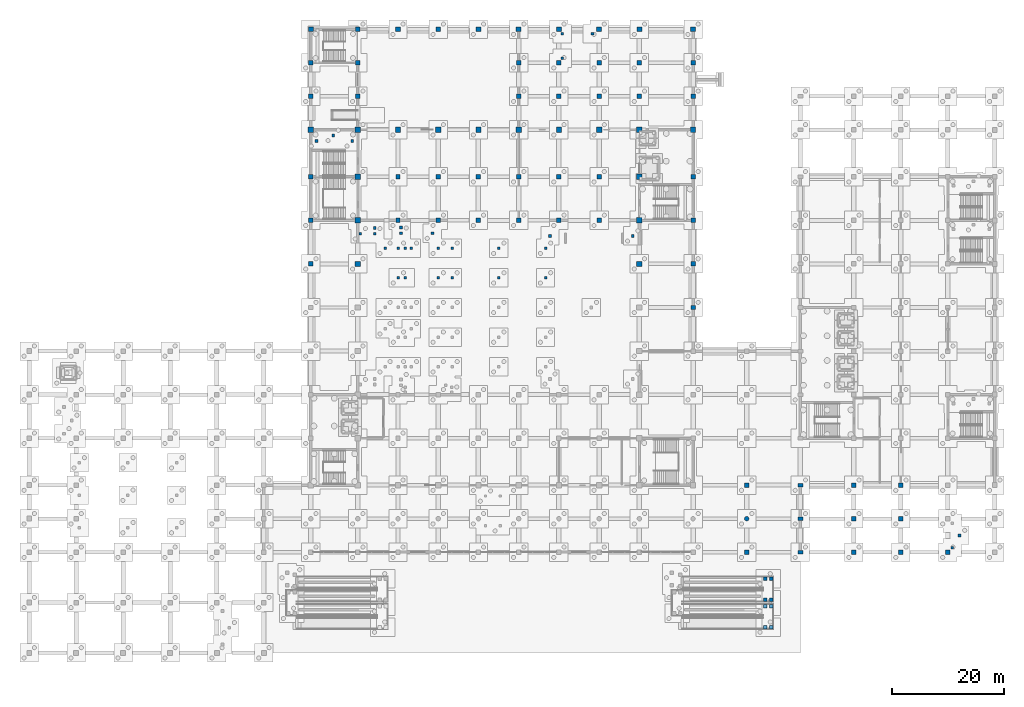
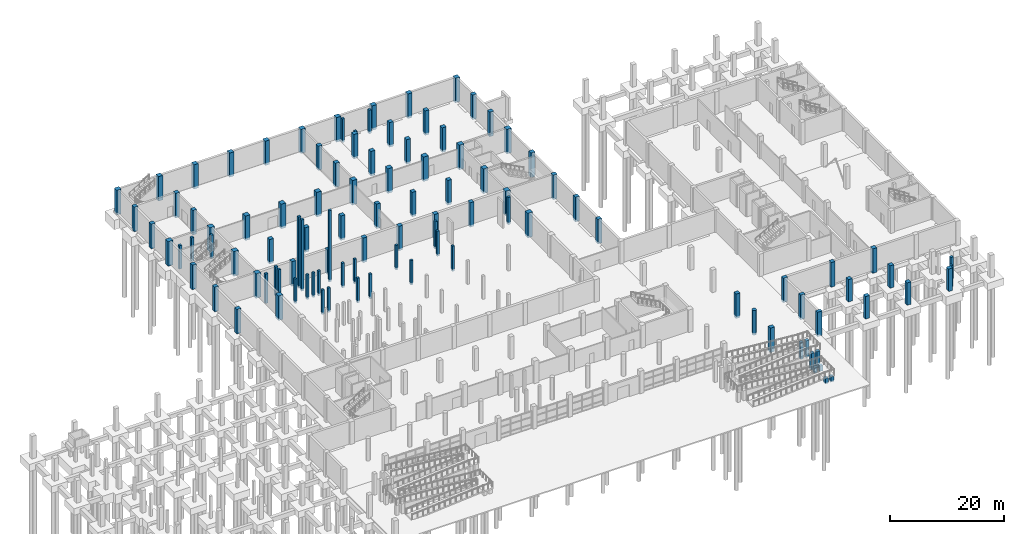
# One storey, part 17 of 42: 110 columns.
"""IFC4 building model written with IfcOpenShell, lengths in metres."""

from ifc_helpers import new_model, si_unit, direction, frame, origin, origin_2d, place, context, subcontext, project, spatial, rectangle, circle, extrude, material, material_profile, profile_set, type_object, element, save


model = new_model("IFC4")

# Units and contexts
model_context = context("Model", 3, precision=1e-05, world=origin(), true_north=direction((0.0, 1.0)))
body_context = subcontext(model_context, "Body", "Model", "MODEL_VIEW")
ifc_project = project(units=[si_unit("LENGTHUNIT", "METRE"), si_unit("AREAUNIT", "SQUARE_METRE"), si_unit("VOLUMEUNIT", "CUBIC_METRE"), si_unit("PLANEANGLEUNIT", "RADIAN"), si_unit("MASSUNIT", "GRAM", prefix="KILO")], contexts=[model_context])

# Site, building, storey
site_placement = place(None, origin())
site = spatial("IfcSite", under=ifc_project, at=site_placement, CompositionType="ELEMENT")
building_placement = place(site_placement, origin())
building = spatial("IfcBuilding", under=site, at=building_placement, Name="Pellamere Symphony Hall", CompositionType="ELEMENT")
storey_placement = place(building_placement, frame((0.0, 0.0, -4.800048828125)))
storey = spatial("IfcBuildingStorey", under=building, at=storey_placement, Name="B1", CompositionType="ELEMENT", Elevation=-4.800048828125)

# Columns
ifc_material_1 = material(Name="Concrete 50 MPa", Category="concrete")
ifc_material_profile_1 = material_profile(ifc_material_1, circle(Radius=0.39990234375, at=origin_2d()), Name="RCCOL D800")
ifc_profile_set_1 = profile_set([ifc_material_profile_1], Name="Concrete 50 MPa")
column_type_1 = type_object("IfcColumnType", Name="RC Circular Foyer Column CC-15 D800", PredefinedType="COLUMN", material=ifc_profile_set_1)
column_1_placement = place(storey_placement, frame((128.39990234375, 24.0, -0.449951171875), z_axis=(0.0, 0.0, 1.0), x_axis=(1.0, 0.0, 0.0)))
element("IfcColumn", 1, at=column_1_placement, inside=storey, type_object=column_type_1, Name="Column C-17D (B1)", PredefinedType="COLUMN", context=body_context, shape_type="SweptSolid", body=[
    extrude(circle(Radius=0.39990234375, at=origin_2d()), origin(), (0.0, 0.0, 1.0), 5.25),
])
ifc_material_profile_2 = material_profile(ifc_material_1, rectangle(XDim=0.949951171875, YDim=0.949951171875, at=origin_2d()), Name="RC 950x950")
ifc_profile_set_2 = profile_set([ifc_material_profile_2], Name="Concrete 50 MPa")
column_type_2 = type_object("IfcColumnType", Name="RC Column CC-01 950x950", PredefinedType="COLUMN", material=ifc_profile_set_2)
for number, where, z_axis, x_axis, name in (
    (2, (50.39990234375, 93.60009765625, -0.449951171875), (0.0, 0.0, 1.0), (1.0, 0.0, 0.0), "Column C-7M (B1)"),
    (3, (58.800048828125, 69.60009765625, -0.449951171875), (0.0, 0.0, 1.0), (1.0, 0.0, 0.0), "Column C-8J (B1)"),
    (4, (58.800048828125, 77.39990234375, -0.449951171875), (0.0, 0.0, 1.0), (1.0, 0.0, 0.0), "Column C-8K (B1)"),
    (5, (58.800048828125, 85.199951171875, -0.449951171875), (0.0, 0.0, 1.0), (1.0, 0.0, 0.0), "Column C-8L (B1)"),
    (6, (58.800048828125, 93.60009765625, -0.449951171875), (0.0, 0.0, 1.0), (1.0, 0.0, 0.0), "Column C-8M (B1)"),
    (7, (66.0, 93.60009765625, -0.449951171875), (0.0, 0.0, 1.0), (1.0, 0.0, 0.0), "Column C-9M (B1)"),
    (8, (73.199951171875, 93.60009765625, -0.449951171875), (0.0, 0.0, 1.0), (1.0, 0.0, 0.0), "Column C-10M (B1)"),
    (9, (80.39990234375, 93.60009765625, -0.449951171875), (0.0, 0.0, 1.0), (1.0, 0.0, 0.0), "Column C-11M (B1)"),
    (10, (87.60009765625, 93.60009765625, -0.449951171875), (0.0, 0.0, 1.0), (1.0, 0.0, 0.0), "Column C-12M (B1)"),
    (11, (94.800048828125, 93.60009765625, -0.449951171875), (0.0, 0.0, 1.0), (1.0, 0.0, 0.0), "Column C-13M (B1)"),
    (12, (102.0, 93.60009765625, -0.449951171875), (0.0, 0.0, 1.0), (1.0, 0.0, 0.0), "Column C-14M (B1)"),
    (13, (109.199951171875, 69.60009765625, -0.449951171875), (0.0, 0.0, 1.0), (1.0, 0.0, 0.0), "Column C-15J (B1)"),
    (14, (109.199951171875, 77.39990234375, -0.449951171875), (0.0, 0.0, 1.0), (1.0, 0.0, 0.0), "Column C-15K (B1)"),
    (15, (109.199951171875, 85.199951171875, -0.449951171875), (0.0, 0.0, 1.0), (1.0, 0.0, 0.0), "Column C-15L (B1)"),
    (16, (109.199951171875, 93.60009765625, -0.449951171875), (0.0, 0.0, 1.0), (1.0, 0.0, 0.0), "Column C-15M (B1)"),
    (17, (118.800048828125, 93.60009765625, -0.449951171875), (0.0, 0.0, 1.0), (1.0, 0.0, 0.0), "Column C-16M (B1)"),
):
    element("IfcColumn", number, at=place(storey_placement, frame(where, z_axis=z_axis, x_axis=x_axis)), inside=storey, type_object=column_type_2, Name=name, PredefinedType="COLUMN", context=body_context, shape_type="SweptSolid", body=[
        extrude(rectangle(XDim=0.949951171875, YDim=0.949951171875, at=origin_2d()), origin(), (0.0, 0.0, 1.0), 5.25),
    ])
ifc_material_2 = material(Name="Concrete 40 MPa", Category="concrete")
ifc_material_profile_3 = material_profile(ifc_material_2, rectangle(XDim=0.800048828125, YDim=0.800048828125, at=origin_2d()), Name="RC 800x800")
ifc_profile_set_3 = profile_set([ifc_material_profile_3], Name="Concrete 40 MPa")
column_type_3 = type_object("IfcColumnType", Name="RC Column CC-04 800x800", PredefinedType="COLUMN", material=ifc_profile_set_3)
for number, where, z_axis, x_axis, name in (
    (18, (50.39990234375, 69.60009765625, -0.449951171875), (0.0, 0.0, 1.0), (1.0, 0.0, 0.0), "Column C-7J (B1)"),
    (19, (50.39990234375, 77.39990234375, -0.449951171875), (0.0, 0.0, 1.0), (1.0, 0.0, 0.0), "Column C-7K (B1)"),
    (20, (50.39990234375, 85.199951171875, -0.449951171875), (0.0, 0.0, 1.0), (1.0, 0.0, 0.0), "Column C-7L (B1)"),
    (21, (50.39990234375, 99.60009765625, -0.449951171875), (0.0, 0.0, 1.0), (1.0, 0.0, 0.0), "Column C-7N (B1)"),
    (22, (50.39990234375, 105.60009765625, -0.449951171875), (0.0, 0.0, 1.0), (1.0, 0.0, 0.0), "Column C-7O (B1)"),
    (23, (58.800048828125, 99.60009765625, -0.449951171875), (0.0, 0.0, 1.0), (1.0, 0.0, 0.0), "Column C-8N (B1)"),
    (24, (58.800048828125, 105.60009765625, -0.449951171875), (0.0, 0.0, 1.0), (1.0, 0.0, 0.0), "Column C-8O (B1)"),
    (25, (66.0, 77.39990234375, -0.449951171875), (0.0, 0.0, 1.0), (1.0, 0.0, 0.0), "Column C-9K (B1)"),
    (26, (66.0, 85.199951171875, -0.449951171875), (0.0, 0.0, 1.0), (1.0, 0.0, 0.0), "Column C-9L (B1)"),
    (27, (73.199951171875, 77.39990234375, -0.449951171875), (0.0, 0.0, 1.0), (1.0, 0.0, 0.0), "Column C-10K (B1)"),
    (28, (73.199951171875, 85.199951171875, -0.449951171875), (0.0, 0.0, 1.0), (1.0, 0.0, 0.0), "Column C-10L (B1)"),
    (29, (80.39990234375, 77.39990234375, -0.449951171875), (0.0, 0.0, 1.0), (1.0, 0.0, 0.0), "Column C-11K (B1)"),
    (30, (80.39990234375, 85.199951171875, -0.449951171875), (0.0, 0.0, 1.0), (1.0, 0.0, 0.0), "Column C-11L (B1)"),
    (31, (87.60009765625, 77.39990234375, -0.449951171875), (0.0, 0.0, 1.0), (1.0, 0.0, 0.0), "Column C-12K (B1)"),
    (32, (87.60009765625, 85.199951171875, -0.449951171875), (0.0, 0.0, 1.0), (1.0, 0.0, 0.0), "Column C-12L (B1)"),
):
    element("IfcColumn", number, at=place(storey_placement, frame(where, z_axis=z_axis, x_axis=x_axis)), inside=storey, type_object=column_type_3, Name=name, PredefinedType="COLUMN", context=body_context, shape_type="SweptSolid", body=[
        extrude(rectangle(XDim=0.800048828125, YDim=0.800048828125, at=origin_2d()), origin(), (0.0, 0.0, 1.0), 5.25),
    ])
for number, where, z_axis, x_axis, name in (
    (33, (87.60009765625, 99.60009765625, -0.3798828125), (0.0, 0.0, 1.0), (1.0, 0.0, 0.0), "Column C-12N (B1)"),
    (34, (87.60009765625, 105.60009765625, -0.3798828125), (0.0, 0.0, 1.0), (1.0, 0.0, 0.0), "Column C-12O (B1)"),
):
    element("IfcColumn", number, at=place(storey_placement, frame(where, z_axis=z_axis, x_axis=x_axis)), inside=storey, type_object=column_type_3, Name=name, PredefinedType="COLUMN", context=body_context, shape_type="SweptSolid", body=[
        extrude(rectangle(XDim=0.800048828125, YDim=0.800048828125, at=origin_2d()), origin(), (0.0, 0.0, 1.0), 5.179931640625),
    ])
for number, where, z_axis, x_axis, name in (
    (35, (94.800048828125, 77.39990234375, -0.449951171875), (0.0, 0.0, 1.0), (1.0, 0.0, 0.0), "Column C-13K (B1)"),
    (36, (94.800048828125, 85.199951171875, -0.449951171875), (0.0, 0.0, 1.0), (1.0, 0.0, 0.0), "Column C-13L (B1)"),
    (37, (94.800048828125, 99.60009765625, -0.449951171875), (0.0, 0.0, 1.0), (1.0, 0.0, 0.0), "Column C-13N (B1)"),
    (38, (94.800048828125, 105.60009765625, -0.449951171875), (0.0, 0.0, 1.0), (1.0, 0.0, 0.0), "Column C-13O (B1)"),
    (39, (102.0, 77.39990234375, -0.449951171875), (0.0, 0.0, 1.0), (1.0, 0.0, 0.0), "Column C-14K (B1)"),
    (40, (102.0, 85.199951171875, -0.449951171875), (0.0, 0.0, 1.0), (1.0, 0.0, 0.0), "Column C-14L (B1)"),
    (41, (102.0, 99.60009765625, -0.449951171875), (0.0, 0.0, 1.0), (1.0, 0.0, 0.0), "Column C-14N (B1)"),
    (42, (102.0, 105.60009765625, -0.449951171875), (0.0, 0.0, 1.0), (1.0, 0.0, 0.0), "Column C-14O (B1)"),
    (43, (109.199951171875, 99.60009765625, -0.449951171875), (0.0, 0.0, 1.0), (1.0, 0.0, 0.0), "Column C-15N (B1)"),
    (44, (109.199951171875, 105.60009765625, -0.449951171875), (0.0, 0.0, 1.0), (1.0, 0.0, 0.0), "Column C-15O (B1)"),
    (45, (118.800048828125, 61.800048828125, -0.449951171875), (0.0, 0.0, 1.0), (1.0, 0.0, 0.0), "Column C-16I (B1)"),
    (46, (118.800048828125, 69.60009765625, -0.449951171875), (0.0, 0.0, 1.0), (1.0, 0.0, 0.0), "Column C-16J (B1)"),
    (47, (118.800048828125, 77.39990234375, -0.449951171875), (0.0, 0.0, 1.0), (1.0, 0.0, 0.0), "Column C-16K (B1)"),
    (48, (118.800048828125, 85.199951171875, -0.449951171875), (0.0, 0.0, 1.0), (1.0, 0.0, 0.0), "Column C-16L (B1)"),
    (49, (118.800048828125, 99.60009765625, -0.449951171875), (0.0, 0.0, 1.0), (1.0, 0.0, 0.0), "Column C-16N (B1)"),
    (50, (118.800048828125, 105.60009765625, -0.449951171875), (0.0, 0.0, 1.0), (1.0, 0.0, 0.0), "Column C-16O (B1)"),
    (51, (128.39990234375, 18.0, -0.449951171875), (0.0, 0.0, 1.0), (1.0, 0.0, 0.0), "Column C-17C (B1)"),
    (52, (128.39990234375, 30.0, -0.449951171875), (0.0, 0.0, 1.0), (1.0, 0.0, 0.0), "Column C-17E (B1)"),
):
    element("IfcColumn", number, at=place(storey_placement, frame(where, z_axis=z_axis, x_axis=x_axis)), inside=storey, type_object=column_type_3, Name=name, PredefinedType="COLUMN", context=body_context, shape_type="SweptSolid", body=[
        extrude(rectangle(XDim=0.800048828125, YDim=0.800048828125, at=origin_2d()), origin(), (0.0, 0.0, 1.0), 5.25),
    ])
for number, where, z_axis, x_axis, name in (
    (53, (147.60009765625, 18.0, 0.0), (0.0, 0.0, 1.0), (1.0, 0.0, 0.0), "Column C-19C (B1)"),
    (54, (147.60009765625, 24.0, 0.0), (0.0, 0.0, 1.0), (1.0, 0.0, 0.0), "Column C-19D (B1)"),
):
    element("IfcColumn", number, at=place(storey_placement, frame(where, z_axis=z_axis, x_axis=x_axis)), inside=storey, type_object=column_type_3, Name=name, PredefinedType="COLUMN", context=body_context, shape_type="SweptSolid", body=[
        extrude(rectangle(XDim=0.800048828125, YDim=0.800048828125, at=origin_2d()), origin(), (0.0, 0.0, 1.0), 4.800048828125),
    ])
column_2_placement = place(storey_placement, frame((147.60009765625, 30.0, -0.449951171875), z_axis=(0.0, 0.0, 1.0), x_axis=(1.0, 0.0, 0.0)))
element("IfcColumn", 55, at=column_2_placement, inside=storey, type_object=column_type_3, Name="Column C-19E (B1)", PredefinedType="COLUMN", context=body_context, shape_type="SweptSolid", body=[
    extrude(rectangle(XDim=0.800048828125, YDim=0.800048828125, at=origin_2d()), origin(), (0.0, 0.0, 1.0), 5.25),
])
for number, where, z_axis, x_axis, name in (
    (56, (156.0, 18.0, 0.0), (0.0, 0.0, 1.0), (1.0, 0.0, 0.0), "Column C-20C (B1)"),
    (57, (156.0, 24.0, 0.0), (0.0, 0.0, 1.0), (1.0, 0.0, 0.0), "Column C-20D (B1)"),
):
    element("IfcColumn", number, at=place(storey_placement, frame(where, z_axis=z_axis, x_axis=x_axis)), inside=storey, type_object=column_type_3, Name=name, PredefinedType="COLUMN", context=body_context, shape_type="SweptSolid", body=[
        extrude(rectangle(XDim=0.800048828125, YDim=0.800048828125, at=origin_2d()), origin(), (0.0, 0.0, 1.0), 4.800048828125),
    ])
column_3_placement = place(storey_placement, frame((156.0, 30.0, -0.449951171875), z_axis=(0.0, 0.0, 1.0), x_axis=(1.0, 0.0, 0.0)))
element("IfcColumn", 58, at=column_3_placement, inside=storey, type_object=column_type_3, Name="Column C-20E (B1)", PredefinedType="COLUMN", context=body_context, shape_type="SweptSolid", body=[
    extrude(rectangle(XDim=0.800048828125, YDim=0.800048828125, at=origin_2d()), origin(), (0.0, 0.0, 1.0), 5.25),
])
column_4_placement = place(storey_placement, frame((164.39990234375, 18.0, 0.0), z_axis=(0.0, 0.0, 1.0), x_axis=(1.0, 0.0, 0.0)))
element("IfcColumn", 59, at=column_4_placement, inside=storey, type_object=column_type_3, Name="Column C-21C (B1)", PredefinedType="COLUMN", context=body_context, shape_type="SweptSolid", body=[
    extrude(rectangle(XDim=0.800048828125, YDim=0.800048828125, at=origin_2d()), origin(), (0.0, 0.0, 1.0), 4.800048828125),
])
ifc_material_3 = material(Name="Concrete 35 MPa", Category="concrete")
ifc_material_profile_4 = material_profile(ifc_material_3, rectangle(XDim=0.5, YDim=0.5, at=origin_2d()), Name="RC 500x500")
ifc_profile_set_4 = profile_set([ifc_material_profile_4], Name="Concrete 35 MPa")
column_type_4 = type_object("IfcColumnType", Name="RC Column CC-10 500x500", PredefinedType="COLUMN", material=ifc_profile_set_4)
for number, where, z_axis, x_axis, name in (
    (60, (95.39990234375, 106.39990234375, -0.449951171875), (0.0, 0.0, 1.0), (1.0, 0.0, 0.0), "Stair ST11 Foundation Support Column 1"),
    (61, (95.39990234375, 110.800048828125, -0.449951171875), (0.0, 0.0, 1.0), (1.0, 0.0, 0.0), "Stair ST11 Foundation Support Column 2"),
    (62, (100.800048828125, 110.800048828125, -0.449951171875), (0.0, 0.0, 1.0), (1.0, 0.0, 0.0), "Stair ST11 Foundation Support Column 3"),
):
    element("IfcColumn", number, at=place(storey_placement, frame(where, z_axis=z_axis, x_axis=x_axis)), inside=storey, type_object=column_type_4, Name=name, PredefinedType="COLUMN", context=body_context, shape_type="SweptSolid", body=[
        extrude(rectangle(XDim=0.5, YDim=0.5, at=origin_2d()), origin(), (0.0, 0.0, 1.0), 5.030029296875),
    ])
for number, where, z_axis, x_axis, name in (
    (63, (165.199951171875, 18.800048828125, 0.0), (0.0, 0.0, 1.0), (1.0, 0.0, 0.0), "Stair ST12 Foundation Support Column 1"),
    (64, (166.5, 21.0, 0.0), (0.0, 0.0, 1.0), (1.0, 0.0, 0.0), "Stair ST12 Foundation Support Column 3"),
):
    element("IfcColumn", number, at=place(storey_placement, frame(where, z_axis=z_axis, x_axis=x_axis)), inside=storey, type_object=column_type_4, Name=name, PredefinedType="COLUMN", context=body_context, shape_type="SweptSolid", body=[
        extrude(rectangle(XDim=0.5, YDim=0.5, at=origin_2d()), origin(), (0.0, 0.0, 1.0), 4.580078125),
    ])
for number, where, z_axis, x_axis, name in (
    (65, (51.39990234375, 91.60009765625, -0.449951171875), (0.0, 0.0, 1.0), (1.0, 0.0, 0.0), "Stair ST13 Foundation Support Column 1"),
    (66, (54.39990234375, 92.60009765625, -0.449951171875), (0.0, 0.0, 1.0), (1.0, 0.0, 0.0), "Stair ST13 Foundation Support Column 2"),
    (67, (57.800048828125, 91.60009765625, -0.449951171875), (0.0, 0.0, 1.0), (1.0, 0.0, 0.0), "Stair ST13 Foundation Support Column 3"),
):
    element("IfcColumn", number, at=place(storey_placement, frame(where, z_axis=z_axis, x_axis=x_axis)), inside=storey, type_object=column_type_4, Name=name, PredefinedType="COLUMN", context=body_context, shape_type="SweptSolid", body=[
        extrude(rectangle(XDim=0.5, YDim=0.5, at=origin_2d()), origin(), (0.0, 0.0, 1.0), 5.030029296875),
    ])
for number, where, z_axis, x_axis, name in (
    (68, (59.25, 75.0, -0.449951171875), (0.0, 0.0, 1.0), (1.0, 0.0, 0.0), "Vomitory VOM-02 Arrival Platform Column 1"),
    (69, (61.85009765625, 75.0, -0.449951171875), (0.0, 0.0, 1.0), (1.0, 0.0, 0.0), "Vomitory VOM-02 Arrival Platform Column 2"),
    (70, (61.85009765625, 76.0, -0.449951171875), (0.0, 0.0, 1.0), (1.0, 0.0, 0.0), "Vomitory VOM-02 Arrival Platform Column 3"),
):
    element("IfcColumn", number, at=place(storey_placement, frame(where, z_axis=z_axis, x_axis=x_axis)), inside=storey, type_object=column_type_4, Name=name, PredefinedType="COLUMN", context=body_context, shape_type="SweptSolid", body=[
        extrude(rectangle(XDim=0.5, YDim=0.5, at=origin_2d()), origin(), (0.0, 0.0, 1.0), 6.280029296875),
    ])
for number, where, z_axis, x_axis, name in (
    (71, (66.550048828125, 75.10009765625, -0.449951171875), (0.0, 0.0, 1.0), (1.0, 0.0, 0.0), "Vomitory VOM-04 Lower Landing Column 1"),
    (72, (72.14990234375, 75.10009765625, -0.449951171875), (0.0, 0.0, 1.0), (1.0, 0.0, 0.0), "Vomitory VOM-04 Lower Landing Column 2"),
    (73, (66.550048828125, 76.10009765625, -0.449951171875), (0.0, 0.0, 1.0), (1.0, 0.0, 0.0), "Vomitory VOM-04 Lower Landing Column 3"),
):
    element("IfcColumn", number, at=place(storey_placement, frame(where, z_axis=z_axis, x_axis=x_axis)), inside=storey, type_object=column_type_4, Name=name, PredefinedType="COLUMN", context=body_context, shape_type="SweptSolid", body=[
        extrude(rectangle(XDim=0.5, YDim=0.5, at=origin_2d()), origin(), (0.0, 0.0, 1.0), 15.22998046875),
    ])
for number, where, z_axis, x_axis, name in (
    (74, (93.199951171875, 74.60009765625, -0.449951171875), (0.0, 0.0, 1.0), (1.0, 0.0, 0.0), "Stage Platform Support Pedestal 4"),
    (75, (108.0, 74.60009765625, -0.449951171875), (0.0, 0.0, 1.0), (1.0, 0.0, 0.0), "Stage Platform Support Pedestal 5"),
):
    element("IfcColumn", number, at=place(storey_placement, frame(where, z_axis=z_axis, x_axis=x_axis)), inside=storey, type_object=column_type_4, Name=name, PredefinedType="COLUMN", context=body_context, shape_type="SweptSolid", body=[
        extrude(rectangle(XDim=0.5, YDim=0.5, at=origin_2d()), origin(), (0.0, 0.0, 1.0), 5.800048828125),
    ])
ifc_material_profile_5 = material_profile(ifc_material_1, rectangle(XDim=0.89990234375, YDim=0.64990234375, at=origin_2d()), Name="RC 900x650")
ifc_profile_set_5 = profile_set([ifc_material_profile_5], Name="Concrete 50 MPa")
column_type_5 = type_object("IfcColumnType", Name="RC Column CC-11 900x650", PredefinedType="COLUMN", material=ifc_profile_set_5)
for number, where, z_axis, x_axis, name in (
    (76, (138.0, 18.0, -0.449951171875), (0.0, 0.0, 1.0), (1.0, 0.0, 0.0), "Column C-18C (B1)"),
    (77, (138.0, 24.0, -0.449951171875), (0.0, 0.0, 1.0), (1.0, 0.0, 0.0), "Column C-18D (B1)"),
    (78, (138.0, 30.0, -0.449951171875), (0.0, 0.0, 1.0), (1.0, 0.0, 0.0), "Column C-18E (B1)"),
):
    element("IfcColumn", number, at=place(storey_placement, frame(where, z_axis=z_axis, x_axis=x_axis)), inside=storey, type_object=column_type_5, Name=name, PredefinedType="COLUMN", context=body_context, shape_type="SweptSolid", body=[
        extrude(rectangle(XDim=0.89990234375, YDim=0.64990234375, at=origin_2d()), origin(), (0.0, 0.0, 1.0), 5.25),
    ])
ifc_material_profile_6 = material_profile(ifc_material_2, rectangle(XDim=0.449951171875, YDim=0.449951171875, at=origin_2d()), Name="RC 450x450")
ifc_profile_set_6 = profile_set([ifc_material_profile_6], Name="Concrete 40 MPa")
column_type_6 = type_object("IfcColumnType", Name="RC Column CC-18 450x450", PredefinedType="COLUMN", material=ifc_profile_set_6)
for number, where, z_axis, x_axis, name in (
    (79, (63.675048828125, 72.39990234375, -0.449951171875), (0.0, 0.0, 1.0), (1.0, 0.0, 0.0), "Under-Tier Raker Support Column RKC-031 (B1)"),
    (80, (66.074951171875, 67.10009765625, -0.449951171875), (0.0, 0.0, 1.0), (1.0, 0.0, 0.0), "Under-Tier Raker Support Column RKC-047 (B1)"),
    (81, (66.074951171875, 72.39990234375, -0.449951171875), (0.0, 0.0, 1.0), (1.0, 0.0, 0.0), "Under-Tier Raker Support Column RKC-051 (B1)"),
    (82, (67.31201171875, 67.10009765625, -0.449951171875), (0.0, 0.0, 1.0), (1.0, 0.0, 0.0), "Under-Tier Raker Support Column RKC-070 (B1)"),
    (83, (67.31201171875, 72.39990234375, -0.449951171875), (0.0, 0.0, 1.0), (1.0, 0.0, 0.0), "Under-Tier Raker Support Column RKC-073 (B1)"),
    (84, (68.39990234375, 72.39990234375, -0.449951171875), (0.0, 0.0, 1.0), (1.0, 0.0, 0.0), "Under-Tier Raker Support Column RKC-088 (B1)"),
    (85, (73.199951171875, 67.10009765625, -0.449951171875), (0.0, 0.0, 1.0), (1.0, 0.0, 0.0), "Under-Tier Raker Support Column RKC-104 (B1)"),
    (86, (73.199951171875, 72.39990234375, -0.449951171875), (0.0, 0.0, 1.0), (1.0, 0.0, 0.0), "Under-Tier Raker Support Column RKC-108 (B1)"),
    (87, (75.675048828125, 67.10009765625, -0.449951171875), (0.0, 0.0, 1.0), (1.0, 0.0, 0.0), "Under-Tier Raker Support Column RKC-122 (B1)"),
    (88, (75.675048828125, 72.39990234375, -0.449951171875), (0.0, 0.0, 1.0), (1.0, 0.0, 0.0), "Under-Tier Raker Support Column RKC-124 (B1)"),
    (89, (84.037109375, 67.10009765625, -0.449951171875), (0.0, 0.0, 1.0), (1.0, 0.0, 0.0), "Under-Tier Raker Support Column RKC-132 (B1)"),
    (90, (84.037109375, 72.39990234375, -0.449951171875), (0.0, 0.0, 1.0), (1.0, 0.0, 0.0), "Under-Tier Raker Support Column RKC-134 (B1)"),
):
    element("IfcColumn", number, at=place(storey_placement, frame(where, z_axis=z_axis, x_axis=x_axis)), inside=storey, type_object=column_type_6, Name=name, PredefinedType="COLUMN", context=body_context, shape_type="SweptSolid", body=[
        extrude(rectangle(XDim=0.449951171875, YDim=0.449951171875, at=origin_2d()), origin(), (0.0, 0.0, 1.0), 5.25),
    ])
for number, where, z_axis, x_axis, name in (
    (91, (92.39990234375, 67.10009765625, -0.449951171875), (0.0, 0.0, 1.0), (1.0, 0.0, 0.0), "Under-Tier Raker Support Column RKC-139 (B1)"),
    (92, (92.39990234375, 72.39990234375, -0.449951171875), (0.0, 0.0, 1.0), (1.0, 0.0, 0.0), "Under-Tier Raker Support Column RKC-140 (B1)"),
):
    element("IfcColumn", number, at=place(storey_placement, frame(where, z_axis=z_axis, x_axis=x_axis)), inside=storey, type_object=column_type_6, Name=name, PredefinedType="COLUMN", context=body_context, shape_type="SweptSolid", body=[
        extrude(rectangle(XDim=0.449951171875, YDim=0.449951171875, at=origin_2d()), origin(), (0.0, 0.0, 1.0), 5.39990234375),
    ])
ifc_material_profile_7 = material_profile(ifc_material_1, rectangle(XDim=0.8798828125, YDim=0.8798828125, at=origin_2d()), Name="RC 880x880")
ifc_profile_set_7 = profile_set([ifc_material_profile_7], Name="Concrete 50 MPa")
column_type_7 = type_object("IfcColumnType", Name="RC Column CCP-01 880x880", PredefinedType="COLUMN", material=ifc_profile_set_7)
for number, where, z_axis, x_axis, name in (
    (93, (50.39990234375, 111.60009765625, -0.449951171875), (0.0, 0.0, 1.0), (1.0, 0.0, 0.0), "Column C-7P (B1)"),
    (94, (58.800048828125, 111.60009765625, -0.449951171875), (0.0, 0.0, 1.0), (1.0, 0.0, 0.0), "Column C-8P (B1)"),
):
    element("IfcColumn", number, at=place(storey_placement, frame(where, z_axis=z_axis, x_axis=x_axis)), inside=storey, type_object=column_type_7, Name=name, PredefinedType="COLUMN", context=body_context, shape_type="SweptSolid", body=[
        extrude(rectangle(XDim=0.8798828125, YDim=0.8798828125, at=origin_2d()), origin(), (0.0, 0.0, 1.0), 5.25),
    ])
for number, where, z_axis, x_axis, name in (
    (95, (66.0, 111.60009765625, -0.3798828125), (0.0, 0.0, 1.0), (1.0, 0.0, 0.0), "Column C-9P (B1)"),
    (96, (73.199951171875, 111.60009765625, -0.3798828125), (0.0, 0.0, 1.0), (1.0, 0.0, 0.0), "Column C-10P (B1)"),
    (97, (80.39990234375, 111.60009765625, -0.3798828125), (0.0, 0.0, 1.0), (1.0, 0.0, 0.0), "Column C-11P (B1)"),
    (98, (87.60009765625, 111.60009765625, -0.3798828125), (0.0, 0.0, 1.0), (1.0, 0.0, 0.0), "Column C-12P (B1)"),
):
    element("IfcColumn", number, at=place(storey_placement, frame(where, z_axis=z_axis, x_axis=x_axis)), inside=storey, type_object=column_type_7, Name=name, PredefinedType="COLUMN", context=body_context, shape_type="SweptSolid", body=[
        extrude(rectangle(XDim=0.8798828125, YDim=0.8798828125, at=origin_2d()), origin(), (0.0, 0.0, 1.0), 5.179931640625),
    ])
for number, where, z_axis, x_axis, name in (
    (99, (94.800048828125, 111.60009765625, -0.449951171875), (0.0, 0.0, 1.0), (1.0, 0.0, 0.0), "Column C-13P (B1)"),
    (100, (102.0, 111.60009765625, -0.449951171875), (0.0, 0.0, 1.0), (1.0, 0.0, 0.0), "Column C-14P (B1)"),
    (101, (109.199951171875, 111.60009765625, -0.449951171875), (0.0, 0.0, 1.0), (1.0, 0.0, 0.0), "Column C-15P (B1)"),
    (102, (118.800048828125, 111.60009765625, -0.449951171875), (0.0, 0.0, 1.0), (1.0, 0.0, 0.0), "Column C-16P (B1)"),
):
    element("IfcColumn", number, at=place(storey_placement, frame(where, z_axis=z_axis, x_axis=x_axis)), inside=storey, type_object=column_type_7, Name=name, PredefinedType="COLUMN", context=body_context, shape_type="SweptSolid", body=[
        extrude(rectangle(XDim=0.8798828125, YDim=0.8798828125, at=origin_2d()), origin(), (0.0, 0.0, 1.0), 5.25),
    ])
ifc_material_profile_8 = material_profile(ifc_material_3, rectangle(XDim=0.6201171875, YDim=0.6201171875, at=origin_2d()), Name="RC 620x620")
ifc_profile_set_8 = profile_set([ifc_material_profile_8], Name="Concrete 35 MPa")
column_type_8 = type_object("IfcColumnType", Name="RC Column CCP-06 620x620", PredefinedType="COLUMN", material=ifc_profile_set_8)
for number, where, z_axis, x_axis, name in (
    (103, (131.699951171875, 4.60009765625, -0.25), (0.0, 0.0, 1.0), (1.0, 0.0, 0.0), "Ramp RMP-02 Landing Support Column 1.1"),
    (104, (131.699951171875, 8.35009765625, -0.25), (0.0, 0.0, 1.0), (1.0, 0.0, 0.0), "Ramp RMP-02 Landing Support Column 1.2"),
    (105, (132.800048828125, 4.60009765625, -0.25), (0.0, 0.0, 1.0), (1.0, 0.0, 0.0), "Ramp RMP-02 Landing Support Column 1.3"),
    (106, (132.800048828125, 8.35009765625, -0.25), (0.0, 0.0, 1.0), (1.0, 0.0, 0.0), "Ramp RMP-02 Landing Support Column 1.4"),
):
    element("IfcColumn", number, at=place(storey_placement, frame(where, z_axis=z_axis, x_axis=x_axis)), inside=storey, type_object=column_type_8, Name=name, PredefinedType="COLUMN", context=body_context, shape_type="SweptSolid", body=[
        extrude(rectangle(XDim=0.6201171875, YDim=0.6201171875, at=origin_2d()), origin(), (0.0, 0.0, 1.0), 1.150146484375),
    ])
for number, where, z_axis, x_axis, name in (
    (107, (131.699951171875, 9.5, -0.25), (0.0, 0.0, 1.0), (1.0, 0.0, 0.0), "Ramp RMP-02 Landing Support Column 3.1"),
    (108, (131.699951171875, 13.25, -0.25), (0.0, 0.0, 1.0), (1.0, 0.0, 0.0), "Ramp RMP-02 Landing Support Column 3.2"),
    (109, (132.800048828125, 9.5, -0.25), (0.0, 0.0, 1.0), (1.0, 0.0, 0.0), "Ramp RMP-02 Landing Support Column 3.3"),
    (110, (132.800048828125, 13.25, -0.25), (0.0, 0.0, 1.0), (1.0, 0.0, 0.0), "Ramp RMP-02 Landing Support Column 3.4"),
):
    element("IfcColumn", number, at=place(storey_placement, frame(where, z_axis=z_axis, x_axis=x_axis)), inside=storey, type_object=column_type_8, Name=name, PredefinedType="COLUMN", context=body_context, shape_type="SweptSolid", body=[
        extrude(rectangle(XDim=0.6201171875, YDim=0.6201171875, at=origin_2d()), origin(), (0.0, 0.0, 1.0), 3.550048828125),
    ])

save(model, "model.ifc")
